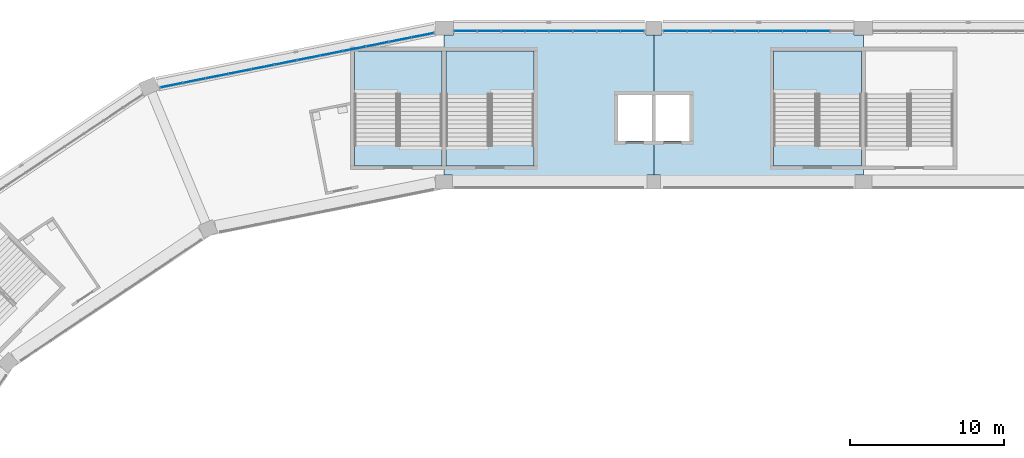
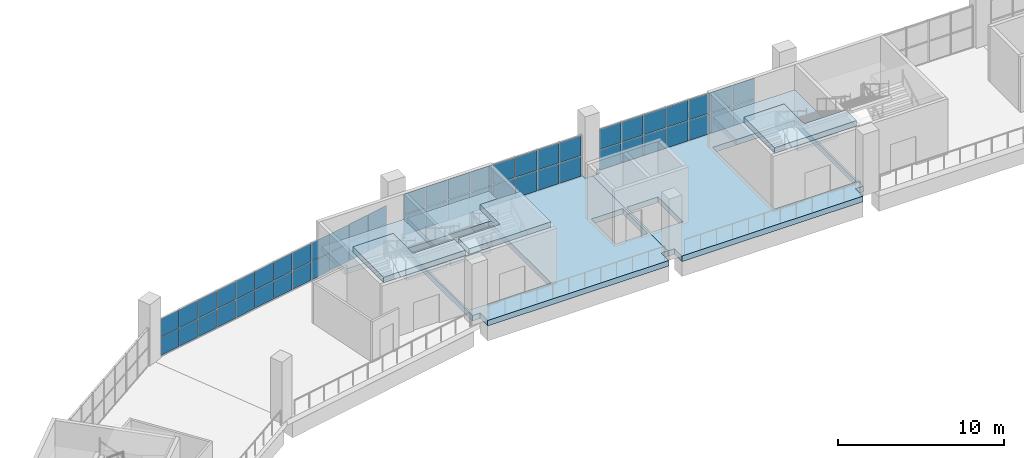
# One storey, part 55 of 177: 54 plates, 8 slabs, 6 elements without a shape of their own.
"""IFC4 building model written with IfcOpenShell, lengths in metres."""

from ifc_helpers import new_model, si_unit, direction, frame, origin, origin_2d, place, context, subcontext, project, spatial, polyline, rectangle, outline, extrude, material, layer, layer_set, type_object, element, aggregate, save


model = new_model("IFC4")

# Units and contexts
model_context = context("Model", 3, precision=1e-05, world=origin(), true_north=direction((0.0, 1.0)))
body_context = subcontext(model_context, "Body", "Model", "MODEL_VIEW")
ifc_project = project(units=[si_unit("LENGTHUNIT", "METRE"), si_unit("AREAUNIT", "SQUARE_METRE"), si_unit("VOLUMEUNIT", "CUBIC_METRE"), si_unit("PLANEANGLEUNIT", "RADIAN"), si_unit("MASSUNIT", "GRAM", prefix="KILO")], contexts=[model_context])

# Site, building, storey
site_placement = place(None, origin())
site = spatial("IfcSite", under=ifc_project, at=site_placement, CompositionType="ELEMENT")
building_placement = place(site_placement, origin())
building = spatial("IfcBuilding", under=site, at=building_placement, Name="Ogive Plaza Stadium", CompositionType="ELEMENT")
storey_placement = place(building_placement, frame((0.0, 0.0, 18.0)))
storey = spatial("IfcBuildingStorey", under=building, at=storey_placement, Name="L04", CompositionType="ELEMENT", Elevation=18.0)

# Curtain wall, plates
ifc_material_1 = material(Name="Bronze-anodised aluminium with laminated glass", Category="aluminium")
curtain_wall_type = type_object("IfcCurtainWallType", Name="Lancet curtain wall", PredefinedType="NOTDEFINED", material=ifc_material_1)
curtain_wall_1_placement = place(storey_placement, origin())
curtain_wall_1 = element("IfcCurtainWall", 1, at=curtain_wall_1_placement, inside=storey, type_object=curtain_wall_type, Name="CURTAIN WALL B31 L04", PredefinedType="NOTDEFINED")
ifc_material_2 = material(Name="Laminated glass", Category="glass")
ifc_layer_1 = layer(ifc_material_2, 0.028076171875)
ifc_layer_set_1 = layer_set([ifc_layer_1], Name="Laminated glass panel 28")
plate_type = type_object("IfcPlateType", Name="Laminated glass panel 28", PredefinedType="CURTAIN_PANEL", material=ifc_layer_set_1)
plate_1_placement = place(storey_placement, frame((-51.681884765625, 98.77880859375, 0.0498046875), z_axis=(0.0, 0.0, 1.0), x_axis=(0.980785280403, 0.195090322016, 0.0)))
plate_1 = element("IfcPlate", 2, at=plate_1_placement, type_object=plate_type, Name="CW-B31-L04 panel 1.1", PredefinedType="CURTAIN_PANEL", context=body_context, shape_type="SweptSolid", body=[
    extrude(rectangle(XDim=1.43896484375, YDim=0.028076171875, at=origin_2d()), origin(), (0.0, 0.0, 1.0), 1.320068359375),
])
plate_2_placement = place(storey_placement, frame((-51.681884765625, 98.77880859375, 1.419921875), z_axis=(0.0, 0.0, 1.0), x_axis=(0.980785280403, 0.195090322016, 0.0)))
plate_2 = element("IfcPlate", 3, at=plate_2_placement, type_object=plate_type, Name="CW-B31-L04 panel 1.2", PredefinedType="CURTAIN_PANEL", context=body_context, shape_type="SweptSolid", body=[
    extrude(rectangle(XDim=1.43896484375, YDim=0.028076171875, at=origin_2d()), origin(), (0.0, 0.0, 1.0), 1.320068359375),
])
plate_3_placement = place(storey_placement, frame((-50.20947265625, 99.07177734375, 0.0498046875), z_axis=(0.0, 0.0, 1.0), x_axis=(0.980785280403, 0.195090322016, 0.0)))
plate_3 = element("IfcPlate", 4, at=plate_3_placement, type_object=plate_type, Name="CW-B31-L04 panel 2.1", PredefinedType="CURTAIN_PANEL", context=body_context, shape_type="SweptSolid", body=[
    extrude(rectangle(XDim=1.4638671875, YDim=0.028076171875, at=origin_2d()), origin(), (0.0, 0.0, 1.0), 1.320068359375),
])
plate_4_placement = place(storey_placement, frame((-50.20947265625, 99.07177734375, 1.419921875), z_axis=(0.0, 0.0, 1.0), x_axis=(0.980785280403, 0.195090322016, 0.0)))
plate_4 = element("IfcPlate", 5, at=plate_4_placement, type_object=plate_type, Name="CW-B31-L04 panel 2.2", PredefinedType="CURTAIN_PANEL", context=body_context, shape_type="SweptSolid", body=[
    extrude(rectangle(XDim=1.4638671875, YDim=0.028076171875, at=origin_2d()), origin(), (0.0, 0.0, 1.0), 1.320068359375),
])
plate_5_placement = place(storey_placement, frame((-48.724609375, 99.3671875, 0.0498046875), z_axis=(0.0, 0.0, 1.0), x_axis=(0.980785280403, 0.195090322016, 0.0)))
plate_5 = element("IfcPlate", 6, at=plate_5_placement, type_object=plate_type, Name="CW-B31-L04 panel 3.1", PredefinedType="CURTAIN_PANEL", context=body_context, shape_type="SweptSolid", body=[
    extrude(rectangle(XDim=1.4638671875, YDim=0.028076171875, at=origin_2d()), origin(), (0.0, 0.0, 1.0), 1.320068359375),
])
plate_6_placement = place(storey_placement, frame((-48.724609375, 99.3671875, 1.419921875), z_axis=(0.0, 0.0, 1.0), x_axis=(0.980785280403, 0.195090322016, 0.0)))
plate_6 = element("IfcPlate", 7, at=plate_6_placement, type_object=plate_type, Name="CW-B31-L04 panel 3.2", PredefinedType="CURTAIN_PANEL", context=body_context, shape_type="SweptSolid", body=[
    extrude(rectangle(XDim=1.4638671875, YDim=0.028076171875, at=origin_2d()), origin(), (0.0, 0.0, 1.0), 1.320068359375),
])
plate_7_placement = place(storey_placement, frame((-47.239990234375, 99.66259765625, 0.0498046875), z_axis=(0.0, 0.0, 1.0), x_axis=(0.980785280403, 0.195090322016, 0.0)))
plate_7 = element("IfcPlate", 8, at=plate_7_placement, type_object=plate_type, Name="CW-B31-L04 panel 4.1", PredefinedType="CURTAIN_PANEL", context=body_context, shape_type="SweptSolid", body=[
    extrude(rectangle(XDim=1.4638671875, YDim=0.028076171875, at=origin_2d()), origin(), (0.0, 0.0, 1.0), 1.320068359375),
])
plate_8_placement = place(storey_placement, frame((-47.239990234375, 99.66259765625, 1.419921875), z_axis=(0.0, 0.0, 1.0), x_axis=(0.980785280403, 0.195090322016, 0.0)))
plate_8 = element("IfcPlate", 9, at=plate_8_placement, type_object=plate_type, Name="CW-B31-L04 panel 4.2", PredefinedType="CURTAIN_PANEL", context=body_context, shape_type="SweptSolid", body=[
    extrude(rectangle(XDim=1.4638671875, YDim=0.028076171875, at=origin_2d()), origin(), (0.0, 0.0, 1.0), 1.320068359375),
])
plate_9_placement = place(storey_placement, frame((-45.755126953125, 99.957763671875, 0.0498046875), z_axis=(0.0, 0.0, 1.0), x_axis=(0.980785280403, 0.195090322016, 0.0)))
plate_9 = element("IfcPlate", 10, at=plate_9_placement, type_object=plate_type, Name="CW-B31-L04 panel 5.1", PredefinedType="CURTAIN_PANEL", context=body_context, shape_type="SweptSolid", body=[
    extrude(rectangle(XDim=1.4638671875, YDim=0.028076171875, at=origin_2d()), origin(), (0.0, 0.0, 1.0), 1.320068359375),
])
plate_10_placement = place(storey_placement, frame((-45.755126953125, 99.957763671875, 1.419921875), z_axis=(0.0, 0.0, 1.0), x_axis=(0.980785280403, 0.195090322016, 0.0)))
plate_10 = element("IfcPlate", 11, at=plate_10_placement, type_object=plate_type, Name="CW-B31-L04 panel 5.2", PredefinedType="CURTAIN_PANEL", context=body_context, shape_type="SweptSolid", body=[
    extrude(rectangle(XDim=1.4638671875, YDim=0.028076171875, at=origin_2d()), origin(), (0.0, 0.0, 1.0), 1.320068359375),
])
plate_11_placement = place(storey_placement, frame((-44.2705078125, 100.253173828125, 0.0498046875), z_axis=(0.0, 0.0, 1.0), x_axis=(0.980785280403, 0.195090322016, 0.0)))
plate_11 = element("IfcPlate", 12, at=plate_11_placement, type_object=plate_type, Name="CW-B31-L04 panel 6.1", PredefinedType="CURTAIN_PANEL", context=body_context, shape_type="SweptSolid", body=[
    extrude(rectangle(XDim=1.4638671875, YDim=0.028076171875, at=origin_2d()), origin(), (0.0, 0.0, 1.0), 1.320068359375),
])
plate_12_placement = place(storey_placement, frame((-44.2705078125, 100.253173828125, 1.419921875), z_axis=(0.0, 0.0, 1.0), x_axis=(0.980785280403, 0.195090322016, 0.0)))
plate_12 = element("IfcPlate", 13, at=plate_12_placement, type_object=plate_type, Name="CW-B31-L04 panel 6.2", PredefinedType="CURTAIN_PANEL", context=body_context, shape_type="SweptSolid", body=[
    extrude(rectangle(XDim=1.4638671875, YDim=0.028076171875, at=origin_2d()), origin(), (0.0, 0.0, 1.0), 1.320068359375),
])
plate_13_placement = place(storey_placement, frame((-42.78564453125, 100.548583984375, 0.0498046875), z_axis=(0.0, 0.0, 1.0), x_axis=(0.980785280403, 0.195090322016, 0.0)))
plate_13 = element("IfcPlate", 14, at=plate_13_placement, type_object=plate_type, Name="CW-B31-L04 panel 7.1", PredefinedType="CURTAIN_PANEL", context=body_context, shape_type="SweptSolid", body=[
    extrude(rectangle(XDim=1.4638671875, YDim=0.028076171875, at=origin_2d()), origin(), (0.0, 0.0, 1.0), 1.320068359375),
])
plate_14_placement = place(storey_placement, frame((-42.78564453125, 100.548583984375, 1.419921875), z_axis=(0.0, 0.0, 1.0), x_axis=(0.980785280403, 0.195090322016, 0.0)))
plate_14 = element("IfcPlate", 15, at=plate_14_placement, type_object=plate_type, Name="CW-B31-L04 panel 7.2", PredefinedType="CURTAIN_PANEL", context=body_context, shape_type="SweptSolid", body=[
    extrude(rectangle(XDim=1.4638671875, YDim=0.028076171875, at=origin_2d()), origin(), (0.0, 0.0, 1.0), 1.320068359375),
])
plate_15_placement = place(storey_placement, frame((-41.301025390625, 100.84375, 0.0498046875), z_axis=(0.0, 0.0, 1.0), x_axis=(0.980785280403, 0.195090322016, 0.0)))
plate_15 = element("IfcPlate", 16, at=plate_15_placement, type_object=plate_type, Name="CW-B31-L04 panel 8.1", PredefinedType="CURTAIN_PANEL", context=body_context, shape_type="SweptSolid", body=[
    extrude(rectangle(XDim=1.4638671875, YDim=0.028076171875, at=origin_2d()), origin(), (0.0, 0.0, 1.0), 1.320068359375),
])
plate_16_placement = place(storey_placement, frame((-41.301025390625, 100.84375, 1.419921875), z_axis=(0.0, 0.0, 1.0), x_axis=(0.980785280403, 0.195090322016, 0.0)))
plate_16 = element("IfcPlate", 17, at=plate_16_placement, type_object=plate_type, Name="CW-B31-L04 panel 8.2", PredefinedType="CURTAIN_PANEL", context=body_context, shape_type="SweptSolid", body=[
    extrude(rectangle(XDim=1.4638671875, YDim=0.028076171875, at=origin_2d()), origin(), (0.0, 0.0, 1.0), 1.320068359375),
])
plate_17_placement = place(storey_placement, frame((-39.816162109375, 101.13916015625, 0.0498046875), z_axis=(0.0, 0.0, 1.0), x_axis=(0.980785280403, 0.195090322016, 0.0)))
plate_17 = element("IfcPlate", 18, at=plate_17_placement, type_object=plate_type, Name="CW-B31-L04 panel 9.1", PredefinedType="CURTAIN_PANEL", context=body_context, shape_type="SweptSolid", body=[
    extrude(rectangle(XDim=1.4638671875, YDim=0.028076171875, at=origin_2d()), origin(), (0.0, 0.0, 1.0), 1.320068359375),
])
plate_18_placement = place(storey_placement, frame((-39.816162109375, 101.13916015625, 1.419921875), z_axis=(0.0, 0.0, 1.0), x_axis=(0.980785280403, 0.195090322016, 0.0)))
plate_18 = element("IfcPlate", 19, at=plate_18_placement, type_object=plate_type, Name="CW-B31-L04 panel 9.2", PredefinedType="CURTAIN_PANEL", context=body_context, shape_type="SweptSolid", body=[
    extrude(rectangle(XDim=1.4638671875, YDim=0.028076171875, at=origin_2d()), origin(), (0.0, 0.0, 1.0), 1.320068359375),
])
plate_19_placement = place(storey_placement, frame((-38.331298828125, 101.4345703125, 0.0498046875), z_axis=(0.0, 0.0, 1.0), x_axis=(0.980785280403, 0.195090322016, 0.0)))
plate_19 = element("IfcPlate", 20, at=plate_19_placement, type_object=plate_type, Name="CW-B31-L04 panel 10.1", PredefinedType="CURTAIN_PANEL", context=body_context, shape_type="SweptSolid", body=[
    extrude(rectangle(XDim=1.4638671875, YDim=0.028076171875, at=origin_2d()), origin(), (0.0, 0.0, 1.0), 1.320068359375),
])
plate_20_placement = place(storey_placement, frame((-38.331298828125, 101.4345703125, 1.419921875), z_axis=(0.0, 0.0, 1.0), x_axis=(0.980785280403, 0.195090322016, 0.0)))
plate_20 = element("IfcPlate", 21, at=plate_20_placement, type_object=plate_type, Name="CW-B31-L04 panel 10.2", PredefinedType="CURTAIN_PANEL", context=body_context, shape_type="SweptSolid", body=[
    extrude(rectangle(XDim=1.4638671875, YDim=0.028076171875, at=origin_2d()), origin(), (0.0, 0.0, 1.0), 1.320068359375),
])
plate_21_placement = place(storey_placement, frame((-36.8466796875, 101.729736328125, 0.0498046875), z_axis=(0.0, 0.0, 1.0), x_axis=(0.980785280403, 0.195090322016, 0.0)))
plate_21 = element("IfcPlate", 22, at=plate_21_placement, type_object=plate_type, Name="CW-B31-L04 panel 11.1", PredefinedType="CURTAIN_PANEL", context=body_context, shape_type="SweptSolid", body=[
    extrude(rectangle(XDim=1.4638671875, YDim=0.028076171875, at=origin_2d()), origin(), (0.0, 0.0, 1.0), 1.320068359375),
])
plate_22_placement = place(storey_placement, frame((-36.8466796875, 101.729736328125, 1.419921875), z_axis=(0.0, 0.0, 1.0), x_axis=(0.980785280403, 0.195090322016, 0.0)))
plate_22 = element("IfcPlate", 23, at=plate_22_placement, type_object=plate_type, Name="CW-B31-L04 panel 11.2", PredefinedType="CURTAIN_PANEL", context=body_context, shape_type="SweptSolid", body=[
    extrude(rectangle(XDim=1.4638671875, YDim=0.028076171875, at=origin_2d()), origin(), (0.0, 0.0, 1.0), 1.320068359375),
])
plate_23_placement = place(storey_placement, frame((-35.374267578125, 102.022705078125, 0.0498046875), z_axis=(0.0, 0.0, 1.0), x_axis=(0.980785280403, 0.195090322016, 0.0)))
plate_23 = element("IfcPlate", 24, at=plate_23_placement, type_object=plate_type, Name="CW-B31-L04 panel 12.1", PredefinedType="CURTAIN_PANEL", context=body_context, shape_type="SweptSolid", body=[
    extrude(rectangle(XDim=1.43896484375, YDim=0.028076171875, at=origin_2d()), origin(), (0.0, 0.0, 1.0), 1.320068359375),
])
plate_24_placement = place(storey_placement, frame((-35.374267578125, 102.022705078125, 1.419921875), z_axis=(0.0, 0.0, 1.0), x_axis=(0.980785280403, 0.195090322016, 0.0)))
plate_24 = element("IfcPlate", 25, at=plate_24_placement, type_object=plate_type, Name="CW-B31-L04 panel 12.2", PredefinedType="CURTAIN_PANEL", context=body_context, shape_type="SweptSolid", body=[
    extrude(rectangle(XDim=1.43896484375, YDim=0.028076171875, at=origin_2d()), origin(), (0.0, 0.0, 1.0), 1.320068359375),
])
aggregate(curtain_wall_1, [plate_1, plate_2, plate_3, plate_4, plate_5, plate_6, plate_7, plate_8, plate_9, plate_10, plate_11, plate_12, plate_13, plate_14, plate_15, plate_16, plate_17, plate_18, plate_19, plate_20, plate_21, plate_22, plate_23, plate_24])

curtain_wall_2_placement = place(storey_placement, origin())
curtain_wall_2 = element("IfcCurtainWall", 26, at=curtain_wall_2_placement, inside=storey, type_object=curtain_wall_type, Name="CURTAIN WALL B32 L04", PredefinedType="NOTDEFINED")
plate_25_placement = place(storey_placement, frame((-32.612548828125, 102.300048828125, 0.0498046875), z_axis=(0.0, 0.0, 1.0), x_axis=(1.0, 0.0, 0.0)))
plate_25 = element("IfcPlate", 27, at=plate_25_placement, type_object=plate_type, Name="CW-B32-L04 panel 1.1", PredefinedType="CURTAIN_PANEL", context=body_context, shape_type="SweptSolid", body=[
    extrude(rectangle(XDim=1.47509765625, YDim=0.028076171875, at=origin_2d()), origin(), (0.0, 0.0, 1.0), 1.469970703125),
])
plate_26_placement = place(storey_placement, frame((-32.612548828125, 102.300048828125, 1.56982421875), z_axis=(0.0, 0.0, 1.0), x_axis=(1.0, 0.0, 0.0)))
plate_26 = element("IfcPlate", 28, at=plate_26_placement, type_object=plate_type, Name="CW-B32-L04 panel 1.2", PredefinedType="CURTAIN_PANEL", context=body_context, shape_type="SweptSolid", body=[
    extrude(rectangle(XDim=1.47509765625, YDim=0.028076171875, at=origin_2d()), origin(), (0.0, 0.0, 1.0), 1.469970703125),
])
plate_27_placement = place(storey_placement, frame((-31.074951171875, 102.300048828125, 0.0498046875), z_axis=(0.0, 0.0, 1.0), x_axis=(1.0, 0.0, 0.0)))
plate_27 = element("IfcPlate", 29, at=plate_27_placement, type_object=plate_type, Name="CW-B32-L04 panel 2.1", PredefinedType="CURTAIN_PANEL", context=body_context, shape_type="SweptSolid", body=[
    extrude(rectangle(XDim=1.5, YDim=0.028076171875, at=origin_2d()), origin(), (0.0, 0.0, 1.0), 1.469970703125),
])
plate_28_placement = place(storey_placement, frame((-31.074951171875, 102.300048828125, 1.56982421875), z_axis=(0.0, 0.0, 1.0), x_axis=(1.0, 0.0, 0.0)))
plate_28 = element("IfcPlate", 30, at=plate_28_placement, type_object=plate_type, Name="CW-B32-L04 panel 2.2", PredefinedType="CURTAIN_PANEL", context=body_context, shape_type="SweptSolid", body=[
    extrude(rectangle(XDim=1.5, YDim=0.028076171875, at=origin_2d()), origin(), (0.0, 0.0, 1.0), 1.469970703125),
])
plate_29_placement = place(storey_placement, frame((-29.52490234375, 102.300048828125, 0.0498046875), z_axis=(0.0, 0.0, 1.0), x_axis=(1.0, 0.0, 0.0)))
plate_29 = element("IfcPlate", 31, at=plate_29_placement, type_object=plate_type, Name="CW-B32-L04 panel 3.1", PredefinedType="CURTAIN_PANEL", context=body_context, shape_type="SweptSolid", body=[
    extrude(rectangle(XDim=1.5, YDim=0.028076171875, at=origin_2d()), origin(), (0.0, 0.0, 1.0), 1.469970703125),
])
plate_30_placement = place(storey_placement, frame((-29.52490234375, 102.300048828125, 1.56982421875), z_axis=(0.0, 0.0, 1.0), x_axis=(1.0, 0.0, 0.0)))
plate_30 = element("IfcPlate", 32, at=plate_30_placement, type_object=plate_type, Name="CW-B32-L04 panel 3.2", PredefinedType="CURTAIN_PANEL", context=body_context, shape_type="SweptSolid", body=[
    extrude(rectangle(XDim=1.5, YDim=0.028076171875, at=origin_2d()), origin(), (0.0, 0.0, 1.0), 1.469970703125),
])
plate_31_placement = place(storey_placement, frame((-27.97509765625, 102.300048828125, 0.0498046875), z_axis=(0.0, 0.0, 1.0), x_axis=(1.0, 0.0, 0.0)))
plate_31 = element("IfcPlate", 33, at=plate_31_placement, type_object=plate_type, Name="CW-B32-L04 panel 4.1", PredefinedType="CURTAIN_PANEL", context=body_context, shape_type="SweptSolid", body=[
    extrude(rectangle(XDim=1.5, YDim=0.028076171875, at=origin_2d()), origin(), (0.0, 0.0, 1.0), 1.469970703125),
])
plate_32_placement = place(storey_placement, frame((-27.97509765625, 102.300048828125, 1.56982421875), z_axis=(0.0, 0.0, 1.0), x_axis=(1.0, 0.0, 0.0)))
plate_32 = element("IfcPlate", 34, at=plate_32_placement, type_object=plate_type, Name="CW-B32-L04 panel 4.2", PredefinedType="CURTAIN_PANEL", context=body_context, shape_type="SweptSolid", body=[
    extrude(rectangle(XDim=1.5, YDim=0.028076171875, at=origin_2d()), origin(), (0.0, 0.0, 1.0), 1.469970703125),
])
plate_33_placement = place(storey_placement, frame((-26.425048828125, 102.300048828125, 0.0498046875), z_axis=(0.0, 0.0, 1.0), x_axis=(1.0, 0.0, 0.0)))
plate_33 = element("IfcPlate", 35, at=plate_33_placement, type_object=plate_type, Name="CW-B32-L04 panel 5.1", PredefinedType="CURTAIN_PANEL", context=body_context, shape_type="SweptSolid", body=[
    extrude(rectangle(XDim=1.5, YDim=0.028076171875, at=origin_2d()), origin(), (0.0, 0.0, 1.0), 1.469970703125),
])
plate_34_placement = place(storey_placement, frame((-26.425048828125, 102.300048828125, 1.56982421875), z_axis=(0.0, 0.0, 1.0), x_axis=(1.0, 0.0, 0.0)))
plate_34 = element("IfcPlate", 36, at=plate_34_placement, type_object=plate_type, Name="CW-B32-L04 panel 5.2", PredefinedType="CURTAIN_PANEL", context=body_context, shape_type="SweptSolid", body=[
    extrude(rectangle(XDim=1.5, YDim=0.028076171875, at=origin_2d()), origin(), (0.0, 0.0, 1.0), 1.469970703125),
])
plate_35_placement = place(storey_placement, frame((-24.875, 102.300048828125, 0.0498046875), z_axis=(0.0, 0.0, 1.0), x_axis=(1.0, 0.0, 0.0)))
plate_35 = element("IfcPlate", 37, at=plate_35_placement, type_object=plate_type, Name="CW-B32-L04 panel 6.1", PredefinedType="CURTAIN_PANEL", context=body_context, shape_type="SweptSolid", body=[
    extrude(rectangle(XDim=1.5, YDim=0.028076171875, at=origin_2d()), origin(), (0.0, 0.0, 1.0), 1.469970703125),
])
plate_36_placement = place(storey_placement, frame((-24.875, 102.300048828125, 1.56982421875), z_axis=(0.0, 0.0, 1.0), x_axis=(1.0, 0.0, 0.0)))
plate_36 = element("IfcPlate", 38, at=plate_36_placement, type_object=plate_type, Name="CW-B32-L04 panel 6.2", PredefinedType="CURTAIN_PANEL", context=body_context, shape_type="SweptSolid", body=[
    extrude(rectangle(XDim=1.5, YDim=0.028076171875, at=origin_2d()), origin(), (0.0, 0.0, 1.0), 1.469970703125),
])
plate_37_placement = place(storey_placement, frame((-23.324951171875, 102.300048828125, 0.0498046875), z_axis=(0.0, 0.0, 1.0), x_axis=(1.0, 0.0, 0.0)))
plate_37 = element("IfcPlate", 39, at=plate_37_placement, type_object=plate_type, Name="CW-B32-L04 panel 7.1", PredefinedType="CURTAIN_PANEL", context=body_context, shape_type="SweptSolid", body=[
    extrude(rectangle(XDim=1.5, YDim=0.028076171875, at=origin_2d()), origin(), (0.0, 0.0, 1.0), 1.469970703125),
])
plate_38_placement = place(storey_placement, frame((-23.324951171875, 102.300048828125, 1.56982421875), z_axis=(0.0, 0.0, 1.0), x_axis=(1.0, 0.0, 0.0)))
plate_38 = element("IfcPlate", 40, at=plate_38_placement, type_object=plate_type, Name="CW-B32-L04 panel 7.2", PredefinedType="CURTAIN_PANEL", context=body_context, shape_type="SweptSolid", body=[
    extrude(rectangle(XDim=1.5, YDim=0.028076171875, at=origin_2d()), origin(), (0.0, 0.0, 1.0), 1.469970703125),
])
plate_39_placement = place(storey_placement, frame((-21.78759765625, 102.300048828125, 0.0498046875), z_axis=(0.0, 0.0, 1.0), x_axis=(1.0, 0.0, 0.0)))
plate_39 = element("IfcPlate", 41, at=plate_39_placement, type_object=plate_type, Name="CW-B32-L04 panel 8.1", PredefinedType="CURTAIN_PANEL", context=body_context, shape_type="SweptSolid", body=[
    extrude(rectangle(XDim=1.47509765625, YDim=0.028076171875, at=origin_2d()), origin(), (0.0, 0.0, 1.0), 1.469970703125),
])
plate_40_placement = place(storey_placement, frame((-21.78759765625, 102.300048828125, 1.56982421875), z_axis=(0.0, 0.0, 1.0), x_axis=(1.0, 0.0, 0.0)))
plate_40 = element("IfcPlate", 42, at=plate_40_placement, type_object=plate_type, Name="CW-B32-L04 panel 8.2", PredefinedType="CURTAIN_PANEL", context=body_context, shape_type="SweptSolid", body=[
    extrude(rectangle(XDim=1.47509765625, YDim=0.028076171875, at=origin_2d()), origin(), (0.0, 0.0, 1.0), 1.469970703125),
])
aggregate(curtain_wall_2, [plate_25, plate_26, plate_27, plate_28, plate_29, plate_30, plate_31, plate_32, plate_33, plate_34, plate_35, plate_36, plate_37, plate_38, plate_39, plate_40])

curtain_wall_3_placement = place(storey_placement, origin())
curtain_wall_3 = element("IfcCurtainWall", 43, at=curtain_wall_3_placement, inside=storey, type_object=curtain_wall_type, Name="CURTAIN WALL B33 L04", PredefinedType="NOTDEFINED")
plate_41_placement = place(storey_placement, frame((-19.012451171875, 102.300048828125, 0.0498046875), z_axis=(0.0, 0.0, 1.0), x_axis=(1.0, 0.0, 0.0)))
plate_41 = element("IfcPlate", 44, at=plate_41_placement, type_object=plate_type, Name="CW-B33-L04 panel 1.1", PredefinedType="CURTAIN_PANEL", context=body_context, shape_type="SweptSolid", body=[
    extrude(rectangle(XDim=1.47509765625, YDim=0.028076171875, at=origin_2d()), origin(), (0.0, 0.0, 1.0), 1.469970703125),
])
plate_42_placement = place(storey_placement, frame((-19.012451171875, 102.300048828125, 1.56982421875), z_axis=(0.0, 0.0, 1.0), x_axis=(1.0, 0.0, 0.0)))
plate_42 = element("IfcPlate", 45, at=plate_42_placement, type_object=plate_type, Name="CW-B33-L04 panel 1.2", PredefinedType="CURTAIN_PANEL", context=body_context, shape_type="SweptSolid", body=[
    extrude(rectangle(XDim=1.47509765625, YDim=0.028076171875, at=origin_2d()), origin(), (0.0, 0.0, 1.0), 1.469970703125),
])
plate_43_placement = place(storey_placement, frame((-17.47509765625, 102.300048828125, 0.0498046875), z_axis=(0.0, 0.0, 1.0), x_axis=(1.0, 0.0, 0.0)))
plate_43 = element("IfcPlate", 46, at=plate_43_placement, type_object=plate_type, Name="CW-B33-L04 panel 2.1", PredefinedType="CURTAIN_PANEL", context=body_context, shape_type="SweptSolid", body=[
    extrude(rectangle(XDim=1.5, YDim=0.028076171875, at=origin_2d()), origin(), (0.0, 0.0, 1.0), 1.469970703125),
])
plate_44_placement = place(storey_placement, frame((-17.47509765625, 102.300048828125, 1.56982421875), z_axis=(0.0, 0.0, 1.0), x_axis=(1.0, 0.0, 0.0)))
plate_44 = element("IfcPlate", 47, at=plate_44_placement, type_object=plate_type, Name="CW-B33-L04 panel 2.2", PredefinedType="CURTAIN_PANEL", context=body_context, shape_type="SweptSolid", body=[
    extrude(rectangle(XDim=1.5, YDim=0.028076171875, at=origin_2d()), origin(), (0.0, 0.0, 1.0), 1.469970703125),
])
plate_45_placement = place(storey_placement, frame((-15.925048828125, 102.300048828125, 0.0498046875), z_axis=(0.0, 0.0, 1.0), x_axis=(1.0, 0.0, 0.0)))
plate_45 = element("IfcPlate", 48, at=plate_45_placement, type_object=plate_type, Name="CW-B33-L04 panel 3.1", PredefinedType="CURTAIN_PANEL", context=body_context, shape_type="SweptSolid", body=[
    extrude(rectangle(XDim=1.5, YDim=0.028076171875, at=origin_2d()), origin(), (0.0, 0.0, 1.0), 1.469970703125),
])
plate_46_placement = place(storey_placement, frame((-15.925048828125, 102.300048828125, 1.56982421875), z_axis=(0.0, 0.0, 1.0), x_axis=(1.0, 0.0, 0.0)))
plate_46 = element("IfcPlate", 49, at=plate_46_placement, type_object=plate_type, Name="CW-B33-L04 panel 3.2", PredefinedType="CURTAIN_PANEL", context=body_context, shape_type="SweptSolid", body=[
    extrude(rectangle(XDim=1.5, YDim=0.028076171875, at=origin_2d()), origin(), (0.0, 0.0, 1.0), 1.469970703125),
])
plate_47_placement = place(storey_placement, frame((-14.375, 102.300048828125, 0.0498046875), z_axis=(0.0, 0.0, 1.0), x_axis=(1.0, 0.0, 0.0)))
plate_47 = element("IfcPlate", 50, at=plate_47_placement, type_object=plate_type, Name="CW-B33-L04 panel 4.1", PredefinedType="CURTAIN_PANEL", context=body_context, shape_type="SweptSolid", body=[
    extrude(rectangle(XDim=1.5, YDim=0.028076171875, at=origin_2d()), origin(), (0.0, 0.0, 1.0), 1.469970703125),
])
plate_48_placement = place(storey_placement, frame((-14.375, 102.300048828125, 1.56982421875), z_axis=(0.0, 0.0, 1.0), x_axis=(1.0, 0.0, 0.0)))
plate_48 = element("IfcPlate", 51, at=plate_48_placement, type_object=plate_type, Name="CW-B33-L04 panel 4.2", PredefinedType="CURTAIN_PANEL", context=body_context, shape_type="SweptSolid", body=[
    extrude(rectangle(XDim=1.5, YDim=0.028076171875, at=origin_2d()), origin(), (0.0, 0.0, 1.0), 1.469970703125),
])
plate_49_placement = place(storey_placement, frame((-12.824951171875, 102.300048828125, 0.0498046875), z_axis=(0.0, 0.0, 1.0), x_axis=(1.0, 0.0, 0.0)))
plate_49 = element("IfcPlate", 52, at=plate_49_placement, type_object=plate_type, Name="CW-B33-L04 panel 5.1", PredefinedType="CURTAIN_PANEL", context=body_context, shape_type="SweptSolid", body=[
    extrude(rectangle(XDim=1.5, YDim=0.028076171875, at=origin_2d()), origin(), (0.0, 0.0, 1.0), 1.469970703125),
])
plate_50_placement = place(storey_placement, frame((-12.824951171875, 102.300048828125, 1.56982421875), z_axis=(0.0, 0.0, 1.0), x_axis=(1.0, 0.0, 0.0)))
plate_50 = element("IfcPlate", 53, at=plate_50_placement, type_object=plate_type, Name="CW-B33-L04 panel 5.2", PredefinedType="CURTAIN_PANEL", context=body_context, shape_type="SweptSolid", body=[
    extrude(rectangle(XDim=1.5, YDim=0.028076171875, at=origin_2d()), origin(), (0.0, 0.0, 1.0), 1.469970703125),
])
plate_51_placement = place(storey_placement, frame((-11.27490234375, 102.300048828125, 0.0498046875), z_axis=(0.0, 0.0, 1.0), x_axis=(1.0, 0.0, 0.0)))
plate_51 = element("IfcPlate", 54, at=plate_51_placement, type_object=plate_type, Name="CW-B33-L04 panel 6.1", PredefinedType="CURTAIN_PANEL", context=body_context, shape_type="SweptSolid", body=[
    extrude(rectangle(XDim=1.5, YDim=0.028076171875, at=origin_2d()), origin(), (0.0, 0.0, 1.0), 1.469970703125),
])
plate_52_placement = place(storey_placement, frame((-11.27490234375, 102.300048828125, 1.56982421875), z_axis=(0.0, 0.0, 1.0), x_axis=(1.0, 0.0, 0.0)))
plate_52 = element("IfcPlate", 55, at=plate_52_placement, type_object=plate_type, Name="CW-B33-L04 panel 6.2", PredefinedType="CURTAIN_PANEL", context=body_context, shape_type="SweptSolid", body=[
    extrude(rectangle(XDim=1.5, YDim=0.028076171875, at=origin_2d()), origin(), (0.0, 0.0, 1.0), 1.469970703125),
])
plate_53_placement = place(storey_placement, frame((-9.72509765625, 102.300048828125, 0.0498046875), z_axis=(0.0, 0.0, 1.0), x_axis=(1.0, 0.0, 0.0)))
plate_53 = element("IfcPlate", 56, at=plate_53_placement, type_object=plate_type, Name="CW-B33-L04 panel 7.1", PredefinedType="CURTAIN_PANEL", context=body_context, shape_type="SweptSolid", body=[
    extrude(rectangle(XDim=1.5, YDim=0.028076171875, at=origin_2d()), origin(), (0.0, 0.0, 1.0), 1.469970703125),
])
plate_54_placement = place(storey_placement, frame((-9.72509765625, 102.300048828125, 1.56982421875), z_axis=(0.0, 0.0, 1.0), x_axis=(1.0, 0.0, 0.0)))
plate_54 = element("IfcPlate", 57, at=plate_54_placement, type_object=plate_type, Name="CW-B33-L04 panel 7.2", PredefinedType="CURTAIN_PANEL", context=body_context, shape_type="SweptSolid", body=[
    extrude(rectangle(XDim=1.5, YDim=0.028076171875, at=origin_2d()), origin(), (0.0, 0.0, 1.0), 1.469970703125),
])
aggregate(curtain_wall_3, [plate_41, plate_42, plate_43, plate_44, plate_45, plate_46, plate_47, plate_48, plate_49, plate_50, plate_51, plate_52, plate_53, plate_54])

# Slabs
ifc_material_3 = material(Name="Concrete C40/50", Category="concrete")
ifc_layer_2 = layer(ifc_material_3, 0.409912109375)
ifc_layer_set_2 = layer_set([ifc_layer_2], Name="Concrete C40/50")
slab_type_1 = type_object("IfcSlabType", Name="RC floor slab 410", PredefinedType="FLOOR", material=ifc_layer_set_2)
slab_1_placement = place(storey_placement, frame((0.0, 0.0, -0.409912109375)))
element("IfcSlab", 58, at=slab_1_placement, inside=storey, type_object=slab_type_1, Name="Floor slab L04 B32", PredefinedType="FLOOR", context=body_context, shape_type="SweptSolid", body=[
    extrude(outline(polyline([(-20.39990234375, 102.050048828125), (-20.89990234375, 102.050048828125), (-20.89990234375, 102.5), (-33.39990234375, 102.5), (-33.39990234375, 102.050048828125), (-34.0, 102.050048828125), (-34.0, 92.949951171875), (-33.449951171875, 92.949951171875), (-33.449951171875, 92.050048828125), (-20.85009765625, 92.050048828125), (-20.85009765625, 92.949951171875), (-20.39990234375, 92.949951171875), (-20.39990234375, 102.050048828125)]), holes=[polyline([(-22.72509765625, 95.14990234375), (-20.52490234375, 95.14990234375), (-20.52490234375, 98.14990234375), (-22.72509765625, 98.14990234375), (-22.72509765625, 95.14990234375)]), polyline([(-33.875, 93.550048828125), (-28.175048828125, 93.550048828125), (-28.175048828125, 101.010009765625), (-33.875, 101.010009765625), (-33.875, 93.550048828125)])]), origin(), (0.0, 0.0, 1.0), 0.409912109375),
])
slab_2_placement = place(storey_placement, frame((0.0, 0.0, -0.409912109375)))
element("IfcSlab", 59, at=slab_2_placement, inside=storey, type_object=slab_type_1, Name="Floor slab L04 B33", PredefinedType="FLOOR", context=body_context, shape_type="SweptSolid", body=[
    extrude(outline(polyline([(-6.800048828125, 102.050048828125), (-7.39990234375, 102.050048828125), (-7.39990234375, 102.5), (-19.89990234375, 102.5), (-19.89990234375, 102.050048828125), (-20.39990234375, 102.050048828125), (-20.39990234375, 92.949951171875), (-19.949951171875, 92.949951171875), (-19.949951171875, 92.050048828125), (-7.35009765625, 92.050048828125), (-7.35009765625, 92.949951171875), (-6.800048828125, 92.949951171875), (-6.800048828125, 102.050048828125)]), holes=[polyline([(-20.27490234375, 95.14990234375), (-18.074951171875, 95.14990234375), (-18.074951171875, 98.14990234375), (-20.27490234375, 98.14990234375), (-20.27490234375, 95.14990234375)]), polyline([(-6.925048828125, 93.550048828125), (-6.925048828125, 101.010009765625), (-12.625, 101.010009765625), (-12.625, 93.550048828125), (-6.925048828125, 93.550048828125)])]), origin(), (0.0, 0.0, 1.0), 0.409912109375),
])

# Stair, slabs
ifc_material_4 = material(Name="Concrete C40/50", Category="concrete")
stair_type = type_object("IfcStairType", Name="Exit stair", PredefinedType="STRAIGHT_RUN_STAIR", material=ifc_material_4)
stair_1_placement = place(storey_placement, origin())
stair_1 = element("IfcStair", 60, at=stair_1_placement, inside=storey, type_object=stair_type, Name="Exit stair ST32A L04 to L05", PredefinedType="STRAIGHT_RUN_STAIR")
ifc_material_5 = material(Name="Concrete C40/50", Category="concrete")
ifc_layer_3 = layer(ifc_material_5, 0.39990234375)
ifc_layer_set_3 = layer_set([ifc_layer_3], Name="Concrete C40/50")
slab_type_2 = type_object("IfcSlabType", Name="Stair landing", PredefinedType="LANDING", material=ifc_layer_set_3)
slab_3_placement = place(storey_placement, frame((0.0, 0.0, 1.85009765625)))
slab_3 = element("IfcSlab", 61, at=slab_3_placement, type_object=slab_type_2, Name="ST32A landing 1", PredefinedType="LANDING", context=body_context, shape_type="SweptSolid", body=[
    extrude(outline(polyline([(-33.875, 101.010009765625), (-28.175048828125, 101.010009765625), (-28.175048828125, 98.2099609375), (-31.074951171875, 98.2099609375), (-31.074951171875, 95.81005859375), (-33.875, 95.81005859375), (-33.875, 98.2099609375), (-33.875, 101.010009765625)])), origin(), (0.0, 0.0, 1.0), 0.39990234375),
])
slab_4_placement = place(storey_placement, frame((0.0, 0.0, 4.10009765625)))
slab_4 = element("IfcSlab", 62, at=slab_4_placement, type_object=slab_type_2, Name="ST32A landing 2", PredefinedType="LANDING", context=body_context, shape_type="SweptSolid", body=[
    extrude(outline(polyline([(-30.97509765625, 97.25), (-28.175048828125, 97.25), (-28.175048828125, 94.85009765625), (-28.175048828125, 93.550048828125), (-33.875, 93.550048828125), (-33.875, 94.85009765625), (-30.97509765625, 94.85009765625), (-30.97509765625, 97.25)])), origin(), (0.0, 0.0, 1.0), 0.39990234375),
])
aggregate(stair_1, [slab_3, slab_4])

stair_2_placement = place(storey_placement, origin())
stair_2 = element("IfcStair", 63, at=stair_2_placement, inside=storey, type_object=stair_type, Name="Exit stair ST32B L04 to L05", PredefinedType="STRAIGHT_RUN_STAIR")
slab_5_placement = place(storey_placement, frame((0.0, 0.0, 1.85009765625)))
slab_5 = element("IfcSlab", 64, at=slab_5_placement, type_object=slab_type_2, Name="ST32B landing 1", PredefinedType="LANDING", context=body_context, shape_type="SweptSolid", body=[
    extrude(outline(polyline([(-34.125, 95.81005859375), (-36.925048828125, 95.81005859375), (-36.925048828125, 98.2099609375), (-39.824951171875, 98.2099609375), (-39.824951171875, 101.010009765625), (-34.125, 101.010009765625), (-34.125, 98.2099609375), (-34.125, 95.81005859375)])), origin(), (0.0, 0.0, 1.0), 0.39990234375),
])
slab_6_placement = place(storey_placement, frame((0.0, 0.0, 4.10009765625)))
slab_6 = element("IfcSlab", 65, at=slab_6_placement, type_object=slab_type_2, Name="ST32B landing 2", PredefinedType="LANDING", context=body_context, shape_type="SweptSolid", body=[
    extrude(outline(polyline([(-34.125, 94.85009765625), (-34.125, 93.550048828125), (-39.824951171875, 93.550048828125), (-39.824951171875, 94.85009765625), (-39.824951171875, 97.25), (-37.02490234375, 97.25), (-37.02490234375, 94.85009765625), (-34.125, 94.85009765625)])), origin(), (0.0, 0.0, 1.0), 0.39990234375),
])
aggregate(stair_2, [slab_5, slab_6])

stair_3_placement = place(storey_placement, origin())
stair_3 = element("IfcStair", 66, at=stair_3_placement, inside=storey, type_object=stair_type, Name="Exit stair ST34B L04 to L05", PredefinedType="STRAIGHT_RUN_STAIR")
slab_7_placement = place(storey_placement, frame((0.0, 0.0, 1.85009765625)))
slab_7 = element("IfcSlab", 67, at=slab_7_placement, type_object=slab_type_2, Name="ST34B landing 1", PredefinedType="LANDING", context=body_context, shape_type="SweptSolid", body=[
    extrude(outline(polyline([(-6.925048828125, 95.81005859375), (-9.72509765625, 95.81005859375), (-9.72509765625, 98.2099609375), (-12.625, 98.2099609375), (-12.625, 101.010009765625), (-6.925048828125, 101.010009765625), (-6.925048828125, 98.2099609375), (-6.925048828125, 95.81005859375)])), origin(), (0.0, 0.0, 1.0), 0.39990234375),
])
slab_8_placement = place(storey_placement, frame((0.0, 0.0, 4.10009765625)))
slab_8 = element("IfcSlab", 68, at=slab_8_placement, type_object=slab_type_2, Name="ST34B landing 2", PredefinedType="LANDING", context=body_context, shape_type="SweptSolid", body=[
    extrude(outline(polyline([(-6.925048828125, 94.85009765625), (-6.925048828125, 93.550048828125), (-12.625, 93.550048828125), (-12.625, 94.85009765625), (-12.625, 97.25), (-9.824951171875, 97.25), (-9.824951171875, 94.85009765625), (-6.925048828125, 94.85009765625)])), origin(), (0.0, 0.0, 1.0), 0.39990234375),
])
aggregate(stair_3, [slab_7, slab_8])

save(model, "model.ifc")
